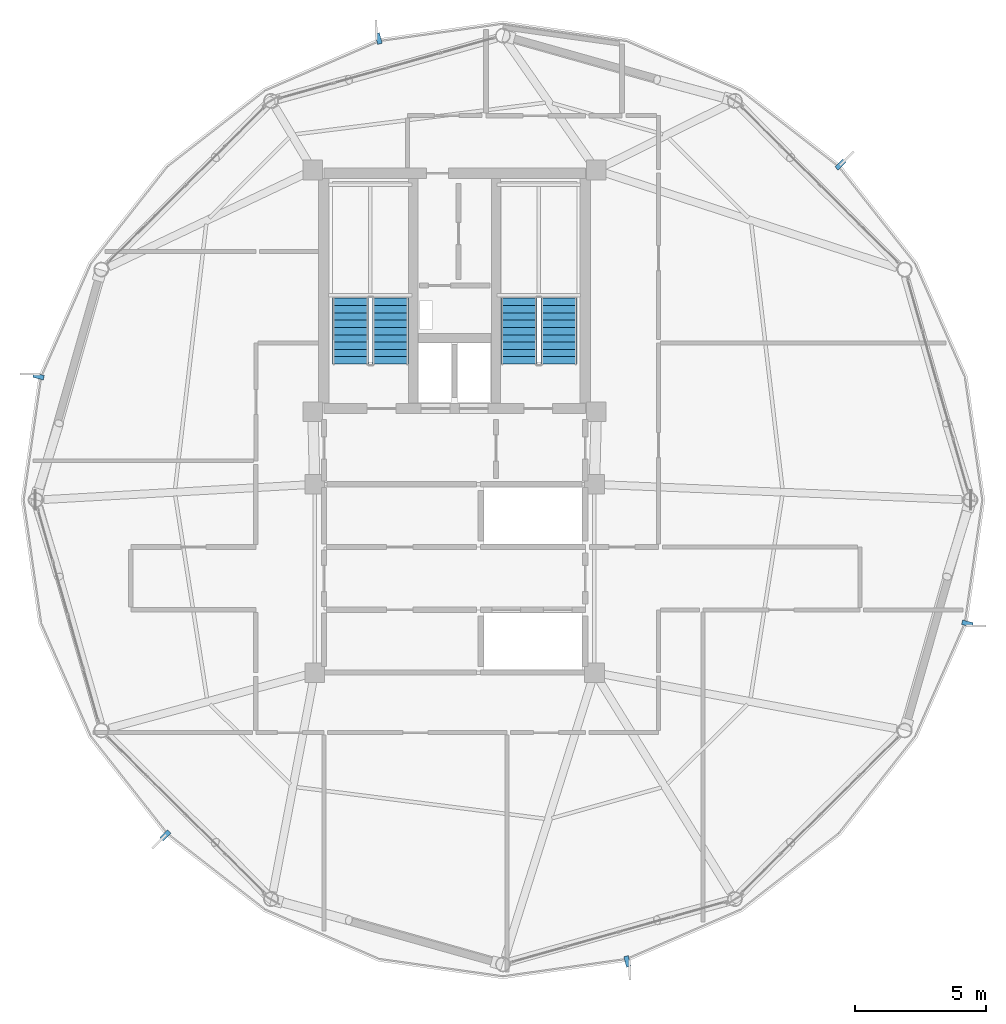
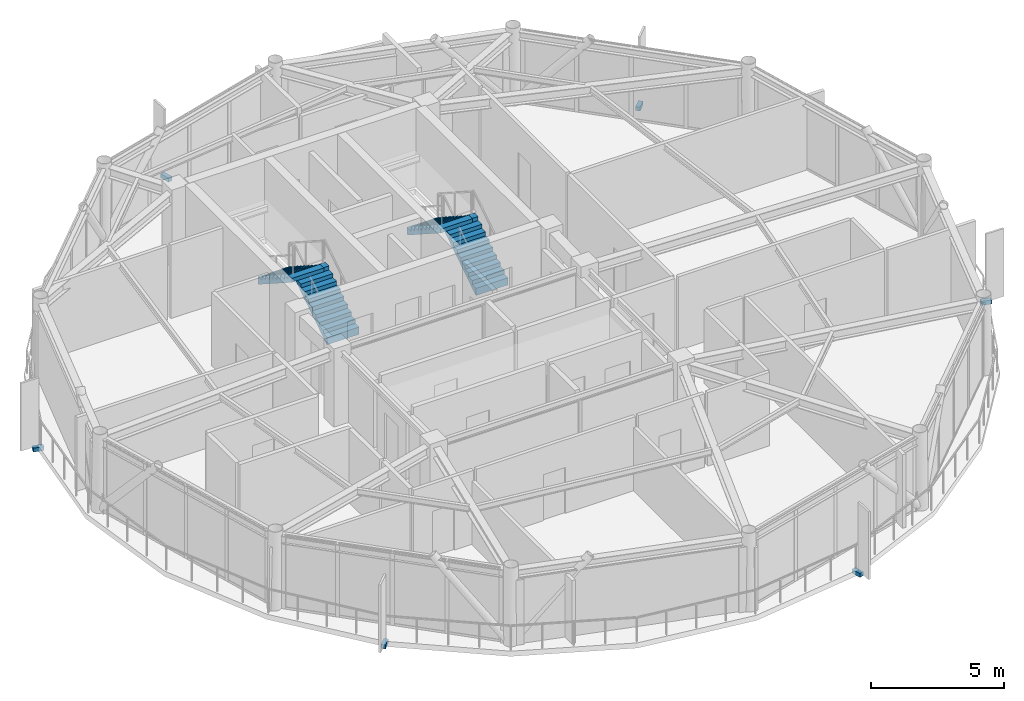
# One storey, part 21 of 24: 6 discrete accessories, 4 stair flights, 2 elements without a shape of their own.
"""IFC4 building model written with IfcOpenShell, lengths in metres."""

from ifc_helpers import new_model, si_unit, direction, frame, origin, origin_2d, place, context, subcontext, project, spatial, polyline, rectangle, outline, extrude, source, transform, mapped, material, type_object, type_shapes, element, aggregate, save


model = new_model("IFC4")

# Units and contexts
model_context = context("Model", 3, precision=1e-05, world=origin(), true_north=direction((0.0, 1.0)))
body_context = subcontext(model_context, "Body", "Model", "MODEL_VIEW")
ifc_project = project(units=[si_unit("LENGTHUNIT", "METRE"), si_unit("AREAUNIT", "SQUARE_METRE"), si_unit("VOLUMEUNIT", "CUBIC_METRE"), si_unit("PLANEANGLEUNIT", "RADIAN"), si_unit("MASSUNIT", "GRAM", prefix="KILO")], contexts=[model_context])

# Site, building, storey
site_placement = place(None, origin())
site = spatial("IfcSite", under=ifc_project, at=site_placement, CompositionType="ELEMENT")
building_placement = place(site_placement, origin())
building = spatial("IfcBuilding", under=site, at=building_placement, Name="Varnakorn Sky Granary", CompositionType="ELEMENT")
storey_placement = place(building_placement, frame((0.0, 0.0, 281.39990234375)))
storey = spatial("IfcBuildingStorey", under=building, at=storey_placement, Name="L72", CompositionType="ELEMENT", Elevation=281.39990234375)

# Stair, stair flights
ifc_material_1 = material(Name="Concrete C40/50", Category="concrete")
stair_type = type_object("IfcStairType", Name="ST-MAIN-ASSEMBLY", PredefinedType="HALF_TURN_STAIR", material=ifc_material_1)
stair_1_placement = place(storey_placement, origin())
stair_1 = element("IfcStair", 1, at=stair_1_placement, inside=storey, type_object=stair_type, Name="L72 Protected Exit Stair ST-1", PredefinedType="HALF_TURN_STAIR")
stair_flight_type = type_object("IfcStairFlightType", Name="ST-MAIN-FLIGHT", PredefinedType="STRAIGHT", material=ifc_material_1)
stair_flight_1_placement = place(storey_placement, frame((0.550048828125, 5.199951171875, 0.0), z_axis=(0.0, 0.0, 1.0), x_axis=(0.0, 1.0, 0.0)))
stair_flight_1 = element("IfcStairFlight", 2, at=stair_flight_1_placement, type_object=stair_flight_type, Name="ST-1 flight 1", NumberOfRisers=10, NumberOfTreads=9, PredefinedType="STRAIGHT", RiserHeight=0.18, TreadLength=0.28, context=body_context, shape_type="SweptSolid", body=[
    extrude(outline(polyline([(0.0, -0.14990234375), (0.0, 0.0), (0.0, 0.179931640625), (0.280029296875, 0.179931640625), (0.280029296875, 0.360107421875), (0.56005859375, 0.360107421875), (0.56005859375, 0.5400390625), (0.840087890625, 0.5400390625), (0.840087890625, 0.719970703125), (1.1201171875, 0.719970703125), (1.1201171875, 0.89990234375), (1.39990234375, 0.89990234375), (1.39990234375, 1.080078125), (1.679931640625, 1.080078125), (1.679931640625, 1.260009765625), (1.9599609375, 1.260009765625), (1.9599609375, 1.43994140625), (2.239990234375, 1.43994140625), (2.239990234375, 1.6201171875), (2.52001953125, 1.6201171875), (2.52001953125, 1.800048828125), (2.52001953125, 1.44189453125), (0.050048828125, -0.14990234375), (0.0, -0.14990234375)])), frame((0.0, 0.68994140625, 0.0), z_axis=(0.0, -1.0, 0.0), x_axis=(1.0, 0.0, 0.0)), (0.0, 0.0, 1.0), 1.3798828125),
])
stair_flight_2_placement = place(storey_placement, frame((-0.97998046875, 7.719970703125, 1.800048828125), z_axis=(0.0, 0.0, 1.0), x_axis=(0.0, -1.0, 0.0)))
stair_flight_2 = element("IfcStairFlight", 3, at=stair_flight_2_placement, type_object=stair_flight_type, Name="ST-1 flight 2", NumberOfRisers=10, NumberOfTreads=9, PredefinedType="STRAIGHT", RiserHeight=0.18, TreadLength=0.28, context=body_context, shape_type="SweptSolid", body=[
    extrude(outline(polyline([(0.0, -0.14990234375), (0.0, 0.0), (0.0, 0.179931640625), (0.280029296875, 0.179931640625), (0.280029296875, 0.360107421875), (0.56005859375, 0.360107421875), (0.56005859375, 0.5400390625), (0.840087890625, 0.5400390625), (0.840087890625, 0.719970703125), (1.1201171875, 0.719970703125), (1.1201171875, 0.89990234375), (1.39990234375, 0.89990234375), (1.39990234375, 1.080078125), (1.679931640625, 1.080078125), (1.679931640625, 1.260009765625), (1.9599609375, 1.260009765625), (1.9599609375, 1.43994140625), (2.239990234375, 1.43994140625), (2.239990234375, 1.6201171875), (2.52001953125, 1.6201171875), (2.52001953125, 1.800048828125), (2.52001953125, 1.44189453125), (0.050048828125, -0.14990234375), (0.0, -0.14990234375)])), frame((0.0, 0.68994140625, 0.0), z_axis=(0.0, -1.0, 0.0), x_axis=(1.0, 0.0, 0.0)), (0.0, 0.0, 1.0), 1.3798828125),
])
aggregate(stair_1, [stair_flight_1, stair_flight_2])

stair_2_placement = place(storey_placement, origin())
stair_2 = element("IfcStair", 4, at=stair_2_placement, inside=storey, type_object=stair_type, Name="L72 Protected Exit Stair ST-2", PredefinedType="HALF_TURN_STAIR")
stair_flight_3_placement = place(storey_placement, frame((6.989990234375, 5.199951171875, 0.0), z_axis=(0.0, 0.0, 1.0), x_axis=(0.0, 1.0, 0.0)))
stair_flight_3 = element("IfcStairFlight", 5, at=stair_flight_3_placement, type_object=stair_flight_type, Name="ST-2 flight 1", NumberOfRisers=10, NumberOfTreads=9, PredefinedType="STRAIGHT", RiserHeight=0.18, TreadLength=0.28, context=body_context, shape_type="SweptSolid", body=[
    extrude(outline(polyline([(0.0, -0.14990234375), (0.0, 0.0), (0.0, 0.179931640625), (0.280029296875, 0.179931640625), (0.280029296875, 0.360107421875), (0.56005859375, 0.360107421875), (0.56005859375, 0.5400390625), (0.840087890625, 0.5400390625), (0.840087890625, 0.719970703125), (1.1201171875, 0.719970703125), (1.1201171875, 0.89990234375), (1.39990234375, 0.89990234375), (1.39990234375, 1.080078125), (1.679931640625, 1.080078125), (1.679931640625, 1.260009765625), (1.9599609375, 1.260009765625), (1.9599609375, 1.43994140625), (2.239990234375, 1.43994140625), (2.239990234375, 1.6201171875), (2.52001953125, 1.6201171875), (2.52001953125, 1.800048828125), (2.52001953125, 1.44189453125), (0.050048828125, -0.14990234375), (0.0, -0.14990234375)])), frame((0.0, 0.68994140625, 0.0), z_axis=(0.0, -1.0, 0.0), x_axis=(1.0, 0.0, 0.0)), (0.0, 0.0, 1.0), 1.3798828125),
])
stair_flight_4_placement = place(storey_placement, frame((5.4599609375, 7.719970703125, 1.800048828125), z_axis=(0.0, 0.0, 1.0), x_axis=(0.0, -1.0, 0.0)))
stair_flight_4 = element("IfcStairFlight", 6, at=stair_flight_4_placement, type_object=stair_flight_type, Name="ST-2 flight 2", NumberOfRisers=10, NumberOfTreads=9, PredefinedType="STRAIGHT", RiserHeight=0.18, TreadLength=0.28, context=body_context, shape_type="SweptSolid", body=[
    extrude(outline(polyline([(0.0, -0.14990234375), (0.0, 0.0), (0.0, 0.179931640625), (0.280029296875, 0.179931640625), (0.280029296875, 0.360107421875), (0.56005859375, 0.360107421875), (0.56005859375, 0.5400390625), (0.840087890625, 0.5400390625), (0.840087890625, 0.719970703125), (1.1201171875, 0.719970703125), (1.1201171875, 0.89990234375), (1.39990234375, 0.89990234375), (1.39990234375, 1.080078125), (1.679931640625, 1.080078125), (1.679931640625, 1.260009765625), (1.9599609375, 1.260009765625), (1.9599609375, 1.43994140625), (2.239990234375, 1.43994140625), (2.239990234375, 1.6201171875), (2.52001953125, 1.6201171875), (2.52001953125, 1.800048828125), (2.52001953125, 1.44189453125), (0.050048828125, -0.14990234375), (0.0, -0.14990234375)])), frame((0.0, 0.68994140625, 0.0), z_axis=(0.0, -1.0, 0.0), x_axis=(1.0, 0.0, 0.0)), (0.0, 0.0, 1.0), 1.3798828125),
])
aggregate(stair_2, [stair_flight_3, stair_flight_4])

# Discrete accessories
ifc_material_2 = material(Name="Steel S355JR", Category="steel")
discrete_accessory_type = type_object("IfcDiscreteAccessoryType", Name="AC-BRK-01", PredefinedType="BRACKET", material=ifc_material_2)
shared_shape = source(origin(), body_context, "Body", "SweptSolid", [
    extrude(rectangle(XDim=0.179931640625, YDim=0.419921875, at=origin_2d()), origin(), (0.0, 0.0, 1.0), 0.179931640625),
])
type_shapes(discrete_accessory_type, [shared_shape])
for number, where, z_axis, x_axis, name in (
    (7, (17.758544921875, 12.8251953125, -0.19970703125), (0.0, 0.0, 1.0), (-0.704812815027, 0.709393329384, 0.0), "Facade Solar-Screen Outrigger Bracket L72-02"),
    (8, (0.090087890625, 17.650390625, -0.19970703125), (0.0, 0.0, 1.0), (-0.965508230375, -0.260372535184, 0.0), "Facade Solar-Screen Outrigger Bracket L72-04"),
    (9, (-12.91357421875, 4.729248046875, -0.19970703125), (0.0, 0.0, 1.0), (-0.257268985857, -0.966339830968, 0.0), "Facade Solar-Screen Outrigger Bracket L72-06"),
    (10, (-8.05859375, -12.8251953125, -0.19970703125), (0.0, 0.0, 1.0), (0.704812815027, -0.709393329384, 0.0), "Facade Solar-Screen Outrigger Bracket L72-08"),
    (11, (9.60986328125, -17.650390625, -0.19970703125), (0.0, 0.0, 1.0), (0.965508230375, 0.260372535184, 0.0), "Facade Solar-Screen Outrigger Bracket L72-10"),
    (12, (22.613525390625, -4.729248046875, -0.19970703125), (0.0, 0.0, 1.0), (0.257268985857, 0.966339830968, 0.0), "Facade Solar-Screen Outrigger Bracket L72-12"),
):
    element("IfcDiscreteAccessory", number, at=place(storey_placement, frame(where, z_axis=z_axis, x_axis=x_axis)), inside=storey, type_object=discrete_accessory_type, Name=name, PredefinedType="BRACKET", context=body_context, shape_type="MappedRepresentation", body=[
        mapped(shared_shape, transform((0.0, 0.0, 0.0), x_axis=(1.0, 0.0, 0.0), y_axis=(0.0, 1.0, 0.0), z_axis=(0.0, 0.0, 1.0), scale=1.0)),
    ])

save(model, "model.ifc")
